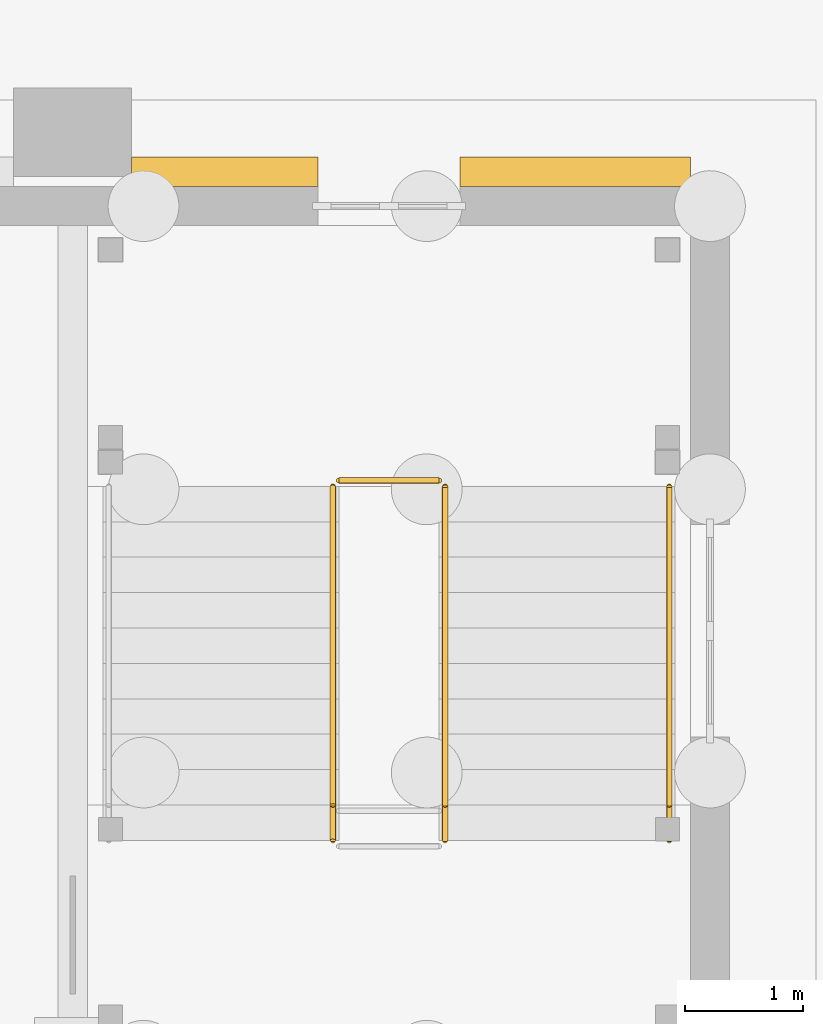
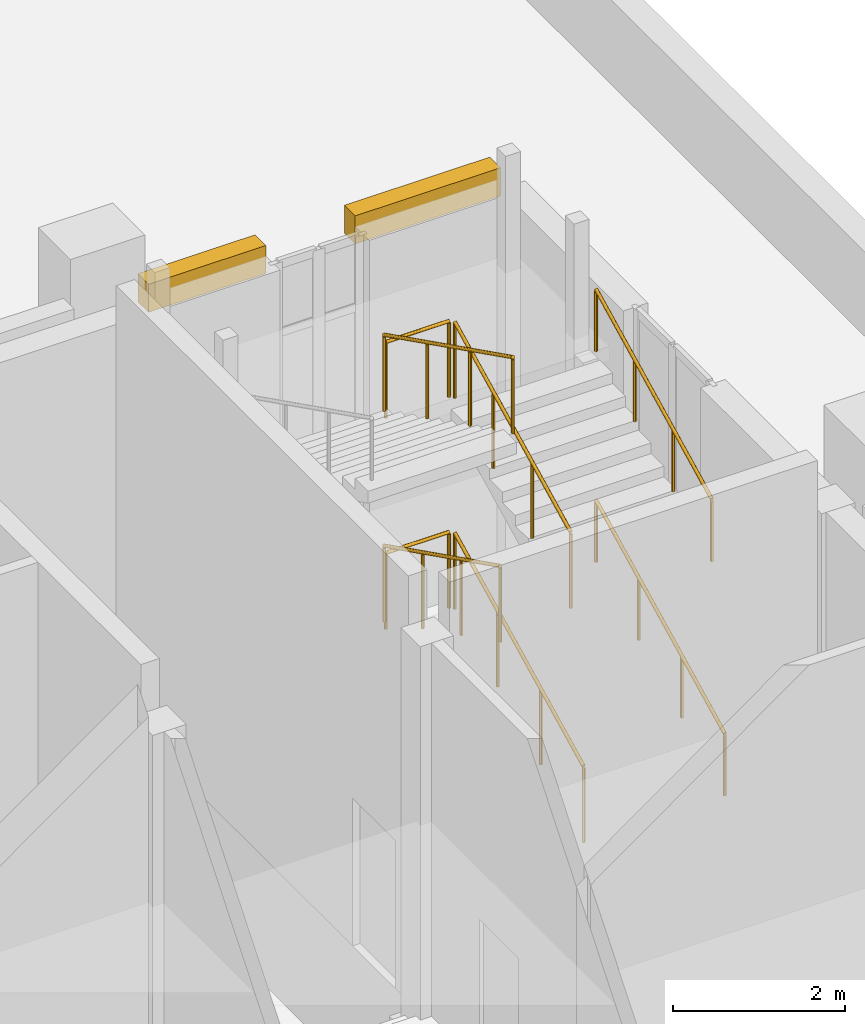
# One storey, part 80 of 84: 8 railings, 2 coverings.
"""IFC4 building model written with IfcOpenShell, lengths in metres."""

from ifc_helpers import new_model, si_unit, direction, frame, origin, origin_2d, place, context, subcontext, project, spatial, polyline, circle, outline, extrude, material, layer, layer_set, type_object, element, save


model = new_model("IFC4")

# Units and contexts
model_context = context("Model", 3, precision=1e-05, world=origin(), true_north=direction((0.0, 1.0)))
body_context = subcontext(model_context, "Body", "Model", "MODEL_VIEW")
ifc_project = project(units=[si_unit("LENGTHUNIT", "METRE"), si_unit("AREAUNIT", "SQUARE_METRE"), si_unit("VOLUMEUNIT", "CUBIC_METRE"), si_unit("PLANEANGLEUNIT", "RADIAN"), si_unit("MASSUNIT", "GRAM", prefix="KILO")], contexts=[model_context])

# Site, building, storey
site_placement = place(None, origin())
site = spatial("IfcSite", under=ifc_project, at=site_placement, CompositionType="ELEMENT")
building_placement = place(site_placement, origin())
building = spatial("IfcBuilding", under=site, at=building_placement, Name="Mazhai Court Health Centre", CompositionType="ELEMENT")
storey_placement = place(building_placement, origin())
storey = spatial("IfcBuildingStorey", under=building, at=storey_placement, Name="L00", CompositionType="ELEMENT", Elevation=0.0)

# Coverings
ifc_material_1 = material(Name="Clay brick masonry", Category="masonry")
ifc_layer = layer(ifc_material_1, 0.25)
ifc_layer_set = layer_set([ifc_layer], Name="BRICK BAND 250")
covering_type = type_object("IfcCoveringType", Name="BRICK BAND 250", PredefinedType="MOLDING", material=ifc_layer_set)
covering_1_placement = place(storey_placement, frame((0.0, 0.0, 5.25)))
element("IfcCovering", 1, at=covering_1_placement, inside=storey, type_object=covering_type, Name="EB-V6-L00-Ep0-2", PredefinedType="MOLDING", context=body_context, shape_type="SweptSolid", body=[
    extrude(outline(polyline([(145.300048828125, 49.56494140625), (146.8798828125, 49.56494140625), (146.8798828125, 49.81494140625), (145.300048828125, 49.81494140625), (145.300048828125, 49.56494140625)])), origin(), (0.0, 0.0, 1.0), 0.39990234375),
])
covering_2_placement = place(storey_placement, frame((0.0, 0.0, 5.25)))
element("IfcCovering", 2, at=covering_2_placement, inside=storey, type_object=covering_type, Name="EB-V6-L00-Ep1-0", PredefinedType="MOLDING", context=body_context, shape_type="SweptSolid", body=[
    extrude(outline(polyline([(148.080078125, 49.56494140625), (150.034912109375, 49.56494140625), (150.034912109375, 49.81494140625), (148.080078125, 49.81494140625), (148.080078125, 49.56494140625)])), origin(), (0.0, 0.0, 1.0), 0.39990234375),
])

# Railings
ifc_material_2 = material(Name="Steel IS 2062 E250", Category="steel")
railing_type_1 = type_object("IfcRailingType", Name="STAIR GUARD 1100", PredefinedType="GUARDRAIL", material=ifc_material_2)
railing_1_placement = place(storey_placement, frame((147.955078125, 44.02490234375, 0.14990234375)))
element("IfcRailing", 3, at=railing_1_placement, inside=storey, type_object=railing_type_1, Name="L00 ST10 stair guard 1", PredefinedType="GUARDRAIL", context=body_context, shape_type="SweptSolid", body=[
    extrude(circle(Radius=0.02392578125, at=origin_2d()), frame((0.0, 0.0, 1.076171875), z_axis=(0.0, 0.894427191, 0.4472135955), x_axis=(-1.0, 0.0, 0.0)), (0.0, 0.0, 1.0), 3.35400390625),
    extrude(circle(Radius=0.02099609375, at=origin_2d()), origin(), (0.0, 0.0, 1.0), 1.052001953125),
    extrude(circle(Radius=0.02099609375, at=origin_2d()), frame((0.0, 1.0, 0.5)), (0.0, 0.0, 1.0), 1.052001953125),
    extrude(circle(Radius=0.02099609375, at=origin_2d()), frame((0.0, 2.0, 1.0)), (0.0, 0.0, 1.0), 1.052001953125),
    extrude(circle(Radius=0.02099609375, at=origin_2d()), frame((0.0, 3.0, 1.5)), (0.0, 0.0, 1.0), 1.052001953125),
])
railing_2_placement = place(storey_placement, frame((147.905029296875, 47.074951171875, 1.64990234375)))
element("IfcRailing", 4, at=railing_2_placement, inside=storey, type_object=railing_type_1, Name="L00 ST10 stair guard 2", PredefinedType="GUARDRAIL", context=body_context, shape_type="SweptSolid", body=[
    extrude(circle(Radius=0.02392578125, at=origin_2d()), frame((0.0, 0.0, 1.076171875), z_axis=(-1.0, 0.0, 0.0), x_axis=(0.0, -1.0, 0.0)), (0.0, 0.0, 1.0), 0.85009765625),
    extrude(circle(Radius=0.02099609375, at=origin_2d()), origin(), (0.0, 0.0, 1.0), 1.052001953125),
    extrude(circle(Radius=0.02099609375, at=origin_2d()), frame((-0.85009765625, 0.0, 0.0)), (0.0, 0.0, 1.0), 1.052001953125),
])
railing_3_placement = place(storey_placement, frame((147.0048828125, 47.02490234375, 1.800048828125)))
element("IfcRailing", 5, at=railing_3_placement, inside=storey, type_object=railing_type_1, Name="L00 ST10 stair guard 3", PredefinedType="GUARDRAIL", context=body_context, shape_type="SweptSolid", body=[
    extrude(circle(Radius=0.02392578125, at=origin_2d()), frame((0.0, 0.0, 1.076171875), z_axis=(0.0, -0.89444336626, 0.447181243517), x_axis=(1.0, 0.0, 0.0)), (0.0, 0.0, 1.0), 3.0185546875),
    extrude(circle(Radius=0.02099609375, at=origin_2d()), origin(), (0.0, 0.0, 1.0), 1.052001953125),
    extrude(circle(Radius=0.02099609375, at=origin_2d()), frame((0.0, -0.89990234375, 0.449951171875)), (0.0, 0.0, 1.0), 1.052001953125),
    extrude(circle(Radius=0.02099609375, at=origin_2d()), frame((0.0, -1.800048828125, 0.89990234375)), (0.0, 0.0, 1.0), 1.052001953125),
    extrude(circle(Radius=0.02099609375, at=origin_2d()), frame((0.0, -2.699951171875, 1.349853515625)), (0.0, 0.0, 1.0), 1.052001953125),
])
railing_4_placement = place(storey_placement, frame((147.955078125, 44.324951171875, 3.300048828125)))
element("IfcRailing", 6, at=railing_4_placement, inside=storey, type_object=railing_type_1, Name="L00 ST10 stair guard 5", PredefinedType="GUARDRAIL", context=body_context, shape_type="SweptSolid", body=[
    extrude(circle(Radius=0.02392578125, at=origin_2d()), frame((0.0, 0.0, 1.076171875), z_axis=(0.0, 0.89444336626, 0.447181243517), x_axis=(-1.0, 0.0, 0.0)), (0.0, 0.0, 1.0), 3.0185546875),
    extrude(circle(Radius=0.02099609375, at=origin_2d()), origin(), (0.0, 0.0, 1.0), 1.052001953125),
    extrude(circle(Radius=0.02099609375, at=origin_2d()), frame((0.0, 0.89990234375, 0.449951171875)), (0.0, 0.0, 1.0), 1.052001953125),
    extrude(circle(Radius=0.02099609375, at=origin_2d()), frame((0.0, 1.800048828125, 0.89990234375)), (0.0, 0.0, 1.0), 1.052001953125),
    extrude(circle(Radius=0.02099609375, at=origin_2d()), frame((0.0, 2.699951171875, 1.349853515625)), (0.0, 0.0, 1.0), 1.052001953125),
])
railing_5_placement = place(storey_placement, frame((147.905029296875, 47.074951171875, 4.64990234375)))
element("IfcRailing", 7, at=railing_5_placement, inside=storey, type_object=railing_type_1, Name="L00 ST10 stair guard 6", PredefinedType="GUARDRAIL", context=body_context, shape_type="SweptSolid", body=[
    extrude(circle(Radius=0.02392578125, at=origin_2d()), frame((0.0, 0.0, 1.076171875), z_axis=(-1.0, 0.0, 0.0), x_axis=(0.0, -1.0, 0.0)), (0.0, 0.0, 1.0), 0.85009765625),
    extrude(circle(Radius=0.02099609375, at=origin_2d()), origin(), (0.0, 0.0, 1.0), 1.052001953125),
    extrude(circle(Radius=0.02099609375, at=origin_2d()), frame((-0.85009765625, 0.0, 0.0)), (0.0, 0.0, 1.0), 1.052001953125),
])
railing_6_placement = place(storey_placement, frame((147.0048828125, 47.02490234375, 4.800048828125)))
element("IfcRailing", 8, at=railing_6_placement, inside=storey, type_object=railing_type_1, Name="L00 ST10 stair guard 7", PredefinedType="GUARDRAIL", context=body_context, shape_type="SweptSolid", body=[
    extrude(circle(Radius=0.02392578125, at=origin_2d()), frame((0.0, 0.0, 1.076171875), z_axis=(0.0, -0.894427191, 0.4472135955), x_axis=(1.0, 0.0, 0.0)), (0.0, 0.0, 1.0), 3.35400390625),
    extrude(circle(Radius=0.02099609375, at=origin_2d()), origin(), (0.0, 0.0, 1.0), 1.052001953125),
    extrude(circle(Radius=0.02099609375, at=origin_2d()), frame((0.0, -1.0, 0.5)), (0.0, 0.0, 1.0), 1.052001953125),
    extrude(circle(Radius=0.02099609375, at=origin_2d()), frame((0.0, -2.0, 1.0)), (0.0, 0.0, 1.0), 1.052001953125),
    extrude(circle(Radius=0.02099609375, at=origin_2d()), frame((0.0, -3.0, 1.5)), (0.0, 0.0, 1.0), 1.052001953125),
])
ifc_material_3 = material(Name="Steel IS 2062 E250", Category="steel")
railing_type_2 = type_object("IfcRailingType", Name="STAIR HANDRAIL 900", PredefinedType="HANDRAIL", material=ifc_material_3)
railing_7_placement = place(storey_placement, frame((149.85498046875, 44.02490234375, 0.14990234375)))
element("IfcRailing", 9, at=railing_7_placement, inside=storey, type_object=railing_type_2, Name="L00 ST10 stair handrail 1", PredefinedType="HANDRAIL", context=body_context, shape_type="SweptSolid", body=[
    extrude(circle(Radius=0.02392578125, at=origin_2d()), frame((0.0, 0.0, 0.8759765625), z_axis=(0.0, 0.894427191, 0.4472135955), x_axis=(-1.0, 0.0, 0.0)), (0.0, 0.0, 1.0), 3.35400390625),
    extrude(circle(Radius=0.02099609375, at=origin_2d()), origin(), (0.0, 0.0, 1.0), 0.851806640625),
    extrude(circle(Radius=0.02099609375, at=origin_2d()), frame((0.0, 1.0, 0.5)), (0.0, 0.0, 1.0), 0.851806640625),
    extrude(circle(Radius=0.02099609375, at=origin_2d()), frame((0.0, 2.0, 1.0)), (0.0, 0.0, 1.0), 0.851806640625),
    extrude(circle(Radius=0.02099609375, at=origin_2d()), frame((0.0, 3.0, 1.5)), (0.0, 0.0, 1.0), 0.851806640625),
])
railing_8_placement = place(storey_placement, frame((149.85498046875, 44.324951171875, 3.300048828125)))
element("IfcRailing", 10, at=railing_8_placement, inside=storey, type_object=railing_type_2, Name="L00 ST10 stair handrail 3", PredefinedType="HANDRAIL", context=body_context, shape_type="SweptSolid", body=[
    extrude(circle(Radius=0.02392578125, at=origin_2d()), frame((0.0, 0.0, 0.8759765625), z_axis=(0.0, 0.89444336626, 0.447181243517), x_axis=(-1.0, 0.0, 0.0)), (0.0, 0.0, 1.0), 3.0185546875),
    extrude(circle(Radius=0.02099609375, at=origin_2d()), origin(), (0.0, 0.0, 1.0), 0.851806640625),
    extrude(circle(Radius=0.02099609375, at=origin_2d()), frame((0.0, 0.89990234375, 0.449951171875)), (0.0, 0.0, 1.0), 0.851806640625),
    extrude(circle(Radius=0.02099609375, at=origin_2d()), frame((0.0, 1.800048828125, 0.89990234375)), (0.0, 0.0, 1.0), 0.851806640625),
    extrude(circle(Radius=0.02099609375, at=origin_2d()), frame((0.0, 2.699951171875, 1.349853515625)), (0.0, 0.0, 1.0), 0.851806640625),
])

save(model, "model.ifc")
